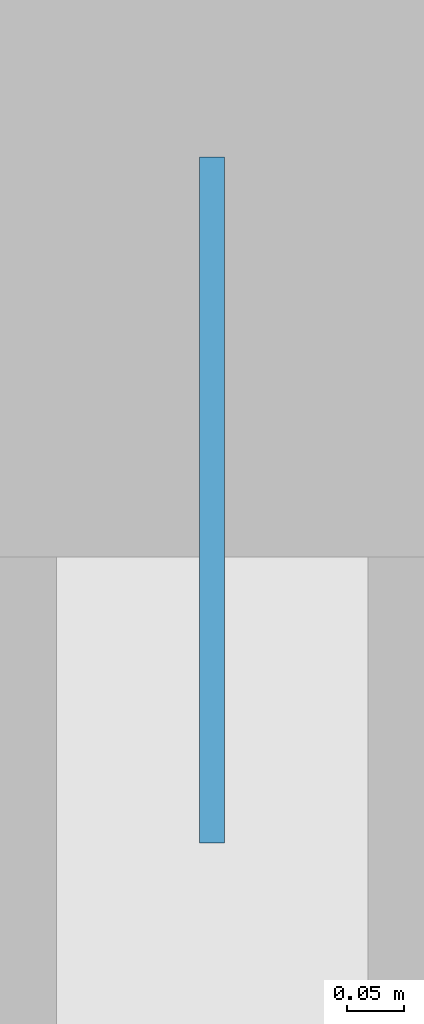
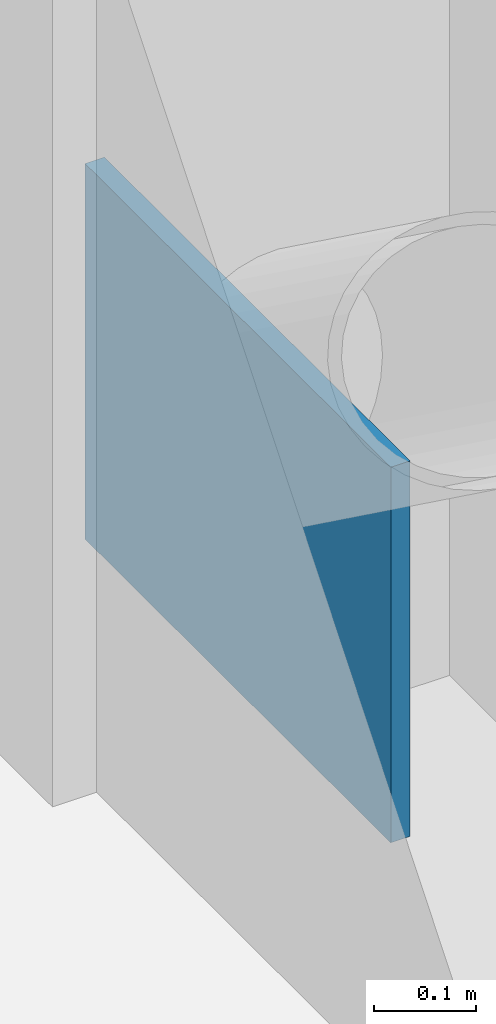
# One storey, part 49 of 77: 1 plate.
"""IFC4 building model written with IfcOpenShell, lengths in metres."""

from ifc_helpers import new_model, si_unit, direction, frame, origin, origin_2d, place, context, subcontext, project, spatial, rectangle, extrude, material, layer, layer_set, type_object, element, save


model = new_model("IFC4")

# Units and contexts
model_context = context("Model", 3, precision=1e-05, world=origin(), true_north=direction((0.0, 1.0)))
body_context = subcontext(model_context, "Body", "Model", "MODEL_VIEW")
ifc_project = project(units=[si_unit("LENGTHUNIT", "METRE"), si_unit("AREAUNIT", "SQUARE_METRE"), si_unit("VOLUMEUNIT", "CUBIC_METRE"), si_unit("PLANEANGLEUNIT", "RADIAN"), si_unit("MASSUNIT", "GRAM", prefix="KILO")], contexts=[model_context])

# Site, building, storey
site_placement = place(None, origin())
site = spatial("IfcSite", under=ifc_project, at=site_placement, CompositionType="ELEMENT")
building_placement = place(site_placement, origin())
building = spatial("IfcBuilding", under=site, at=building_placement, Name="Luwafu Chhajja Arena", CompositionType="ELEMENT")
storey_placement = place(building_placement, frame((0.0, 0.0, 14.699951171875)))
storey = spatial("IfcBuildingStorey", under=building, at=storey_placement, Name="L03", CompositionType="ELEMENT", Elevation=14.699951171875)

# Plate
ifc_material = material(Name="Steel S355", Category="steel")
ifc_layer = layer(ifc_material, 0.02197265625, Name="Steel S355")
ifc_layer_set = layer_set([ifc_layer], Name="Steel S355")
plate_type = type_object("IfcPlateType", Name="Lateral Brace Gusset Plate BN-1", PredefinedType="USERDEFINED", material=ifc_layer_set)
plate_placement = place(storey_placement, frame((164.0, 32.64990234375, 0.02490234375), z_axis=(0.0, 0.0, 1.0), x_axis=(1.0, 0.0, 0.0)))
element("IfcPlate", 1, at=plate_placement, inside=storey, type_object=plate_type, Name="L03 Brace Base Gusset BN-1 10B", ObjectType="GUSSET PLATE", PredefinedType="USERDEFINED", context=body_context, shape_type="SweptSolid", body=[
    extrude(rectangle(XDim=0.02197265625, YDim=0.60009765625, at=origin_2d()), origin(), (0.0, 0.0, 1.0), 0.449951171875),
])

save(model, "model.ifc")
